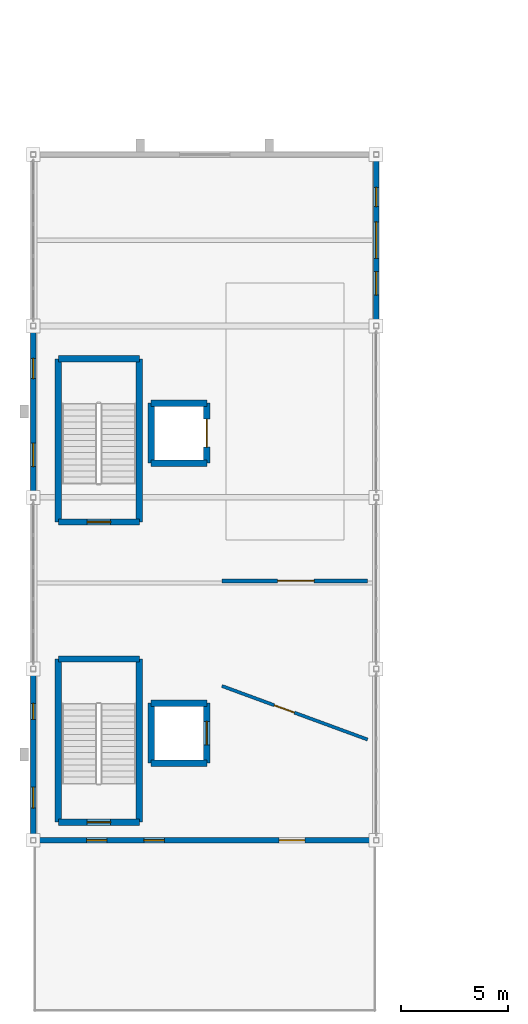
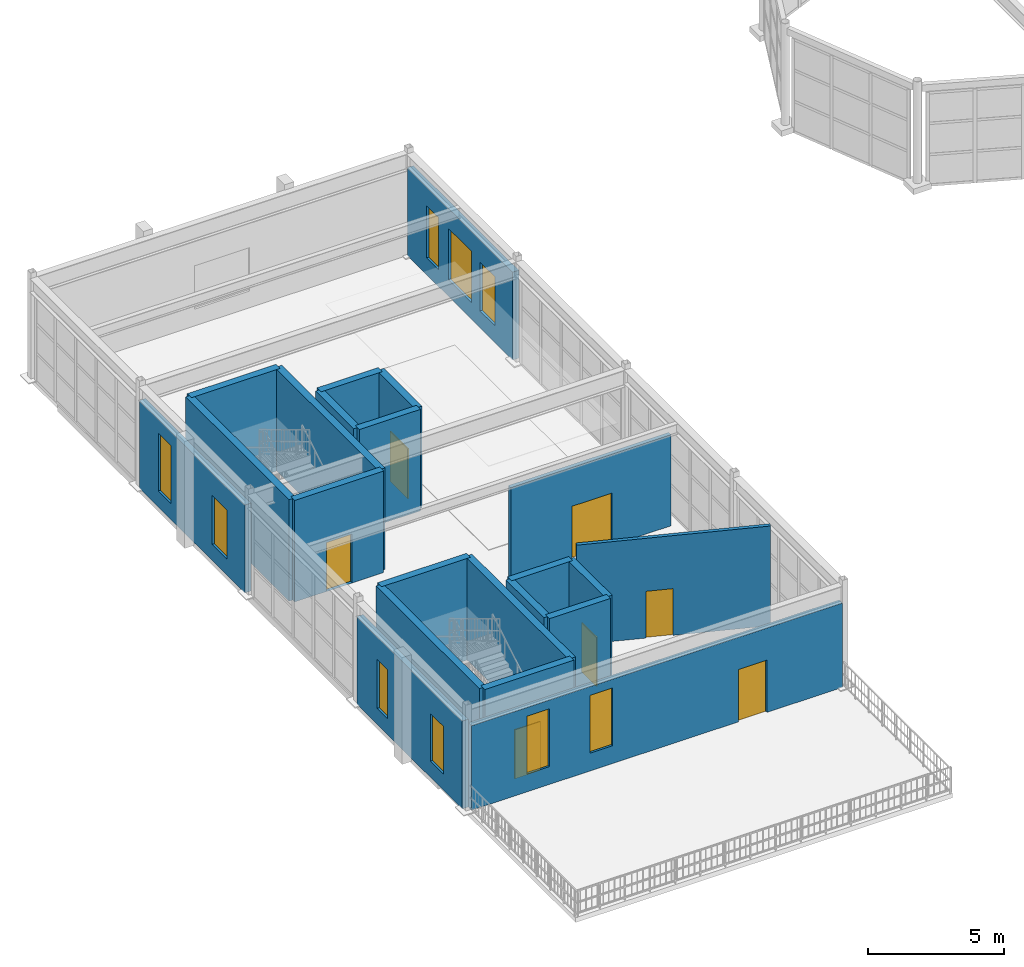
# One storey, part 49 of 61: 22 walls, 9 windows, 7 doors, 16 openings.
"""IFC4 building model written with IfcOpenShell, lengths in metres."""

from ifc_helpers import new_model, si_unit, direction, frame, frame_2d, origin, place, context, subcontext, project, spatial, rectangle, extrude, material, layer, layer_set, type_object, element, fill, save


model = new_model("IFC4")

# Units and contexts
model_context = context("Model", 3, precision=1e-05, world=origin(), true_north=direction((0.0, 1.0)))
body_context = subcontext(model_context, "Body", "Model", "MODEL_VIEW")
ifc_project = project(units=[si_unit("LENGTHUNIT", "METRE"), si_unit("AREAUNIT", "SQUARE_METRE"), si_unit("VOLUMEUNIT", "CUBIC_METRE"), si_unit("PLANEANGLEUNIT", "RADIAN"), si_unit("MASSUNIT", "GRAM", prefix="KILO")], contexts=[model_context])

# Site, building, storey
site_placement = place(None, origin())
site = spatial("IfcSite", under=ifc_project, at=site_placement, CompositionType="ELEMENT")
building_placement = place(site_placement, origin())
building = spatial("IfcBuilding", under=site, at=building_placement, Name="Serraluz Foothill Cableway Terminal", CompositionType="ELEMENT")
storey_placement = place(building_placement, frame((0.0, 0.0, 15.0)))
storey = spatial("IfcBuildingStorey", under=building, at=storey_placement, Name="L03", CompositionType="ELEMENT", Elevation=15.0)

# Wall, openings, door, windows
ifc_material_1 = material(Name="Andean basalt ashlar masonry (f'm 18 MPa)", Category="masonry")
ifc_layer_1 = layer(ifc_material_1, 0.239990234375, Name="Andean basalt ashlar masonry (f'm 18 MPa)", Category="masonry")
ifc_layer_set_1 = layer_set([ifc_layer_1], Name="Andean basalt ashlar masonry (f'm 18 MPa)")
wall_type_1 = type_object("IfcWallType", Name="TYP-WL-EXT-240", PredefinedType="STANDARD", material=ifc_layer_set_1)
wall_1_placement = place(storey_placement, frame((15.875, 32.0, 0.0), z_axis=(0.0, 0.0, 1.0), x_axis=(-1.0, 0.0, 0.0)))
wall_1 = element("IfcWall", 1, at=wall_1_placement, inside=storey, type_object=wall_type_1, Name="Exterior Masonry Wall EW-V5S-L03", PredefinedType="STANDARD", context=body_context, shape_type="SweptSolid", body=[
    extrude(rectangle(XDim=15.75, YDim=0.239990234375, at=frame_2d((7.875, 0.0))), origin(), (0.0, 0.0, 1.0), 3.7900390625),
])
opening_1_placement = place(wall_1_placement, frame((9.762451171875, 0.0, 0.800048828125)))
opening_1 = element("IfcOpeningElement", 2, at=opening_1_placement, cuts=wall_1, Name="Opening W-03", PredefinedType="OPENING", context=body_context, shape_type="SweptSolid", body=[
    extrude(rectangle(XDim=0.949951171875, YDim=2.60009765625, at=frame_2d((0.47509765625, 1.300048828125))), frame((0.0, 0.1298828125, 0.0), z_axis=(0.0, -1.0, 0.0), x_axis=(1.0, 0.0, 0.0)), (0.0, 0.0, 1.0), 0.260009765625),
])
opening_2_placement = place(wall_1_placement, frame((12.43994140625, 0.0, 0.800048828125)))
opening_2 = element("IfcOpeningElement", 3, at=opening_2_placement, cuts=wall_1, Name="Opening W-03", PredefinedType="OPENING", context=body_context, shape_type="SweptSolid", body=[
    extrude(rectangle(XDim=0.949951171875, YDim=2.60009765625, at=frame_2d((0.47509765625, 1.300048828125))), frame((0.0, 0.1298828125, 0.0), z_axis=(0.0, -1.0, 0.0), x_axis=(1.0, 0.0, 0.0)), (0.0, 0.0, 1.0), 0.260009765625),
])
opening_3_placement = place(wall_1_placement, frame((3.199951171875, 0.0, 0.0)))
opening_3 = element("IfcOpeningElement", 4, at=opening_3_placement, cuts=wall_1, Name="Opening DT-02", PredefinedType="OPENING", context=body_context, shape_type="SweptSolid", body=[
    extrude(rectangle(XDim=1.199951171875, YDim=2.35009765625, at=frame_2d((0.60009765625, 1.175048828125))), frame((0.0, 0.1298828125, 0.0), z_axis=(0.0, -1.0, 0.0), x_axis=(1.0, 0.0, 0.0)), (0.0, 0.0, 1.0), 0.260009765625),
])
ifc_material_2 = material(Name="Architectural bronze alloy C28000", Category="aluminium")
door_type_1 = type_object("IfcDoorType", Name="TYP-DR-TER-1200", OperationType="NOTDEFINED", PredefinedType="DOOR", material=ifc_material_2)
door_1_placement = place(opening_3_placement, origin())
door_1 = element("IfcDoor", 5, at=door_1_placement, inside=storey, type_object=door_type_1, Name="Engineering Terrace Access Door L03", OperationType="SINGLE_SWING_LEFT", OverallHeight=2.35009765625, OverallWidth=1.199951171875, PredefinedType="DOOR", context=body_context, shape_type="SweptSolid", body=[
    extrude(rectangle(XDim=1.199951171875, YDim=2.35009765625, at=frame_2d((0.60009765625, 1.175048828125))), frame((0.0, 0.02490234375, 0.0), z_axis=(0.0, -1.0, 0.0), x_axis=(1.0, 0.0, 0.0)), (0.0, 0.0, 1.0), 0.050048828125),
])
fill(opening_3, door_1)
ifc_material_3 = material(Name="Laminated low-E safety glass", Category="glass")
window_type_1 = type_object("IfcWindowType", Name="TYP-WN-095X260", PartitioningType="SINGLE_PANEL", PredefinedType="WINDOW", material=ifc_material_3)
window_1_placement = place(opening_1_placement, origin())
window_1 = element("IfcWindow", 6, at=window_1_placement, inside=storey, type_object=window_type_1, Name="Exterior Window EW-V5S-L03-WN1", OverallHeight=2.60009765625, OverallWidth=0.949951171875, PartitioningType="SINGLE_PANEL", PredefinedType="WINDOW", context=body_context, shape_type="SweptSolid", body=[
    extrude(rectangle(XDim=0.949951171875, YDim=2.60009765625, at=frame_2d((0.47509765625, 1.300048828125))), frame((0.0, 0.030029296875, 0.0), z_axis=(0.0, -1.0, 0.0), x_axis=(1.0, 0.0, 0.0)), (0.0, 0.0, 1.0), 0.06005859375),
])
fill(opening_1, window_1)
window_2_placement = place(opening_2_placement, origin())
window_2 = element("IfcWindow", 7, at=window_2_placement, inside=storey, type_object=window_type_1, Name="Exterior Window EW-V5S-L03-WN2", OverallHeight=2.60009765625, OverallWidth=0.949951171875, PartitioningType="SINGLE_PANEL", PredefinedType="WINDOW", context=body_context, shape_type="SweptSolid", body=[
    extrude(rectangle(XDim=0.949951171875, YDim=2.60009765625, at=frame_2d((0.47509765625, 1.300048828125))), frame((0.0, 0.030029296875, 0.0), z_axis=(0.0, -1.0, 0.0), x_axis=(1.0, 0.0, 0.0)), (0.0, 0.0, 1.0), 0.06005859375),
])
fill(opening_2, window_2)

# Wall, openings, windows
ifc_material_4 = material(Name="Fired clay masonry brick (f'm 12 MPa)", Category="masonry")
ifc_layer_2 = layer(ifc_material_4, 0.260009765625, Name="Fired clay masonry brick (f'm 12 MPa)", Category="masonry")
ifc_layer_set_2 = layer_set([ifc_layer_2], Name="Fired clay masonry brick (f'm 12 MPa)")
wall_type_2 = type_object("IfcWallType", Name="TYP-WL-EXT-260", PredefinedType="STANDARD", material=ifc_layer_set_2)
wall_2_placement = place(storey_placement, frame((0.0, 32.125, 0.0), z_axis=(0.0, 0.0, 1.0), x_axis=(0.0, 1.0, 0.0)))
wall_2 = element("IfcWall", 8, at=wall_2_placement, inside=storey, type_object=wall_type_2, Name="Exterior Masonry Wall EW-V5W-L03-32", PredefinedType="STANDARD", context=body_context, shape_type="SweptSolid", body=[
    extrude(rectangle(XDim=7.75, YDim=0.260009765625, at=frame_2d((3.875, 0.0))), origin(), (0.0, 0.0, 1.0), 3.944091796875),
])
opening_4_placement = place(wall_2_placement, frame((1.3701171875, 0.0, 0.719970703125)))
opening_4 = element("IfcOpeningElement", 9, at=opening_4_placement, cuts=wall_2, Name="Opening W-49", PredefinedType="OPENING", context=body_context, shape_type="SweptSolid", body=[
    extrude(rectangle(XDim=0.97998046875, YDim=2.14990234375, at=frame_2d((0.489990234375, 1.074951171875))), frame((0.0, 0.14013671875, 0.0), z_axis=(0.0, -1.0, 0.0), x_axis=(1.0, 0.0, 0.0)), (0.0, 0.0, 1.0), 0.280029296875),
])
opening_5_placement = place(wall_2_placement, frame((5.514892578125, 0.0, 0.719970703125)))
opening_5 = element("IfcOpeningElement", 10, at=opening_5_placement, cuts=wall_2, Name="Opening W-01", PredefinedType="OPENING", context=body_context, shape_type="SweptSolid", body=[
    extrude(rectangle(XDim=0.75, YDim=2.199951171875, at=frame_2d((0.375, 1.10009765625))), frame((0.0, 0.14013671875, 0.0), z_axis=(0.0, -1.0, 0.0), x_axis=(1.0, 0.0, 0.0)), (0.0, 0.0, 1.0), 0.280029296875),
])
window_type_2 = type_object("IfcWindowType", Name="TYP-WN-075X220", PartitioningType="SINGLE_PANEL", PredefinedType="WINDOW", material=ifc_material_3)
window_3_placement = place(opening_5_placement, origin())
window_3 = element("IfcWindow", 11, at=window_3_placement, inside=storey, type_object=window_type_2, Name="Exterior Window EW-V5W-L03-32-WN3", OverallHeight=2.199951171875, OverallWidth=0.75, PartitioningType="SINGLE_PANEL", PredefinedType="WINDOW", context=body_context, shape_type="SweptSolid", body=[
    extrude(rectangle(XDim=0.75, YDim=2.199951171875, at=frame_2d((0.375, 1.10009765625))), frame((0.0, 0.030029296875, 0.0), z_axis=(0.0, -1.0, 0.0), x_axis=(1.0, 0.0, 0.0)), (0.0, 0.0, 1.0), 0.06005859375),
])
fill(opening_5, window_3)
window_type_3 = type_object("IfcWindowType", Name="TYP-WN-098X215", PartitioningType="SINGLE_PANEL", PredefinedType="WINDOW", material=ifc_material_3)
window_4_placement = place(opening_4_placement, origin())
window_4 = element("IfcWindow", 12, at=window_4_placement, inside=storey, type_object=window_type_3, Name="Exterior Window EW-V5W-L03-32-WN1", OverallHeight=2.14990234375, OverallWidth=0.97998046875, PartitioningType="SINGLE_PANEL", PredefinedType="WINDOW", context=body_context, shape_type="SweptSolid", body=[
    extrude(rectangle(XDim=0.97998046875, YDim=2.14990234375, at=frame_2d((0.489990234375, 1.074951171875))), frame((0.0, 0.030029296875, 0.0), z_axis=(0.0, -1.0, 0.0), x_axis=(1.0, 0.0, 0.0)), (0.0, 0.0, 1.0), 0.06005859375),
])
fill(opening_4, window_4)

wall_3_placement = place(storey_placement, frame((0.0, 48.125, 0.0), z_axis=(0.0, 0.0, 1.0), x_axis=(0.0, 1.0, 0.0)))
wall_3 = element("IfcWall", 13, at=wall_3_placement, inside=storey, type_object=wall_type_2, Name="Exterior Masonry Wall EW-V5W-L03-48", PredefinedType="STANDARD", context=body_context, shape_type="SweptSolid", body=[
    extrude(rectangle(XDim=7.75, YDim=0.260009765625, at=frame_2d((3.875, 0.0))), origin(), (0.0, 0.0, 1.0), 3.944091796875),
])
opening_6_placement = place(wall_3_placement, frame((1.31005859375, 0.0, 0.719970703125)))
opening_6 = element("IfcOpeningElement", 14, at=opening_6_placement, cuts=wall_3, Name="Opening W-04", PredefinedType="OPENING", context=body_context, shape_type="SweptSolid", body=[
    extrude(rectangle(XDim=1.10009765625, YDim=2.199951171875, at=frame_2d((0.550048828125, 1.10009765625))), frame((0.0, 0.14013671875, 0.0), z_axis=(0.0, -1.0, 0.0), x_axis=(1.0, 0.0, 0.0)), (0.0, 0.0, 1.0), 0.280029296875),
])
opening_7_placement = place(wall_3_placement, frame((5.4150390625, 0.0, 0.719970703125)))
opening_7 = element("IfcOpeningElement", 15, at=opening_7_placement, cuts=wall_3, Name="Opening W-03", PredefinedType="OPENING", context=body_context, shape_type="SweptSolid", body=[
    extrude(rectangle(XDim=0.949951171875, YDim=2.60009765625, at=frame_2d((0.47509765625, 1.300048828125))), frame((0.0, 0.14013671875, 0.0), z_axis=(0.0, -1.0, 0.0), x_axis=(1.0, 0.0, 0.0)), (0.0, 0.0, 1.0), 0.280029296875),
])
window_5_placement = place(opening_7_placement, origin())
window_5 = element("IfcWindow", 16, at=window_5_placement, inside=storey, type_object=window_type_1, Name="Exterior Window EW-V5W-L03-48-WN3", OverallHeight=2.60009765625, OverallWidth=0.949951171875, PartitioningType="SINGLE_PANEL", PredefinedType="WINDOW", context=body_context, shape_type="SweptSolid", body=[
    extrude(rectangle(XDim=0.949951171875, YDim=2.60009765625, at=frame_2d((0.47509765625, 1.300048828125))), frame((0.0, 0.030029296875, 0.0), z_axis=(0.0, -1.0, 0.0), x_axis=(1.0, 0.0, 0.0)), (0.0, 0.0, 1.0), 0.06005859375),
])
fill(opening_7, window_5)
window_type_4 = type_object("IfcWindowType", Name="TYP-WN-110X220", PartitioningType="SINGLE_PANEL", PredefinedType="WINDOW", material=ifc_material_3)
window_6_placement = place(opening_6_placement, origin())
window_6 = element("IfcWindow", 17, at=window_6_placement, inside=storey, type_object=window_type_4, Name="Exterior Window EW-V5W-L03-48-WN1", OverallHeight=2.199951171875, OverallWidth=1.10009765625, PartitioningType="SINGLE_PANEL", PredefinedType="WINDOW", context=body_context, shape_type="SweptSolid", body=[
    extrude(rectangle(XDim=1.10009765625, YDim=2.199951171875, at=frame_2d((0.550048828125, 1.10009765625))), frame((0.0, 0.030029296875, 0.0), z_axis=(0.0, -1.0, 0.0), x_axis=(1.0, 0.0, 0.0)), (0.0, 0.0, 1.0), 0.06005859375),
])
fill(opening_6, window_6)

wall_4_placement = place(storey_placement, frame((16.0, 63.875, 0.0), z_axis=(0.0, 0.0, 1.0), x_axis=(0.0, -1.0, 0.0)))
wall_4 = element("IfcWall", 18, at=wall_4_placement, inside=storey, type_object=wall_type_2, Name="Exterior Masonry Wall EW-V5E-L03-56", PredefinedType="STANDARD", context=body_context, shape_type="SweptSolid", body=[
    extrude(rectangle(XDim=7.75, YDim=0.260009765625, at=frame_2d((3.875, 0.0))), origin(), (0.0, 0.0, 1.0), 3.948974609375),
])
opening_8_placement = place(wall_4_placement, frame((1.409912109375, 0.0, 0.75)))
opening_8 = element("IfcOpeningElement", 19, at=opening_8_placement, cuts=wall_4, Name="Opening W-37", PredefinedType="OPENING", context=body_context, shape_type="SweptSolid", body=[
    extrude(rectangle(XDim=0.89990234375, YDim=2.35009765625, at=frame_2d((0.449951171875, 1.175048828125))), frame((0.0, 0.14013671875, 0.0), z_axis=(0.0, -1.0, 0.0), x_axis=(1.0, 0.0, 0.0)), (0.0, 0.0, 1.0), 0.280029296875),
])
opening_9_placement = place(wall_4_placement, frame((3.0224609375, 0.0, 0.75)))
opening_9 = element("IfcOpeningElement", 20, at=opening_9_placement, cuts=wall_4, Name="Opening W-45", PredefinedType="OPENING", context=body_context, shape_type="SweptSolid", body=[
    extrude(rectangle(XDim=1.705078125, YDim=2.300048828125, at=frame_2d((0.8525390625, 1.14990234375))), frame((0.0, 0.14013671875, 0.0), z_axis=(0.0, -1.0, 0.0), x_axis=(1.0, 0.0, 0.0)), (0.0, 0.0, 1.0), 0.280029296875),
])
opening_10_placement = place(wall_4_placement, frame((5.340087890625, 0.0, 0.75)))
opening_10 = element("IfcOpeningElement", 21, at=opening_10_placement, cuts=wall_4, Name="Opening W-04", PredefinedType="OPENING", context=body_context, shape_type="SweptSolid", body=[
    extrude(rectangle(XDim=1.10009765625, YDim=2.199951171875, at=frame_2d((0.550048828125, 1.10009765625))), frame((0.0, 0.14013671875, 0.0), z_axis=(0.0, -1.0, 0.0), x_axis=(1.0, 0.0, 0.0)), (0.0, 0.0, 1.0), 0.280029296875),
])
window_type_5 = type_object("IfcWindowType", Name="TYP-WN-090X235", PartitioningType="SINGLE_PANEL", PredefinedType="WINDOW", material=ifc_material_3)
window_7_placement = place(opening_8_placement, origin())
window_7 = element("IfcWindow", 22, at=window_7_placement, inside=storey, type_object=window_type_5, Name="Exterior Window EW-V5E-L03-56-WN1", OverallHeight=2.35009765625, OverallWidth=0.89990234375, PartitioningType="SINGLE_PANEL", PredefinedType="WINDOW", context=body_context, shape_type="SweptSolid", body=[
    extrude(rectangle(XDim=0.89990234375, YDim=2.35009765625, at=frame_2d((0.449951171875, 1.175048828125))), frame((0.0, 0.030029296875, 0.0), z_axis=(0.0, -1.0, 0.0), x_axis=(1.0, 0.0, 0.0)), (0.0, 0.0, 1.0), 0.06005859375),
])
fill(opening_8, window_7)
window_8_placement = place(opening_10_placement, origin())
window_8 = element("IfcWindow", 23, at=window_8_placement, inside=storey, type_object=window_type_4, Name="Exterior Window EW-V5E-L03-56-WN3", OverallHeight=2.199951171875, OverallWidth=1.10009765625, PartitioningType="SINGLE_PANEL", PredefinedType="WINDOW", context=body_context, shape_type="SweptSolid", body=[
    extrude(rectangle(XDim=1.10009765625, YDim=2.199951171875, at=frame_2d((0.550048828125, 1.10009765625))), frame((0.0, 0.030029296875, 0.0), z_axis=(0.0, -1.0, 0.0), x_axis=(1.0, 0.0, 0.0)), (0.0, 0.0, 1.0), 0.06005859375),
])
fill(opening_10, window_8)
window_type_6 = type_object("IfcWindowType", Name="TYP-WN-205X230", PartitioningType="TRIPLE_PANEL_VERTICAL", PredefinedType="WINDOW", material=ifc_material_3)
window_9_placement = place(opening_9_placement, origin())
window_9 = element("IfcWindow", 24, at=window_9_placement, inside=storey, type_object=window_type_6, Name="Exterior Window EW-V5E-L03-56-WN2", OverallHeight=2.300048828125, OverallWidth=1.705078125, PartitioningType="SINGLE_PANEL", PredefinedType="WINDOW", context=body_context, shape_type="SweptSolid", body=[
    extrude(rectangle(XDim=1.705078125, YDim=2.300048828125, at=frame_2d((0.8525390625, 1.14990234375))), frame((0.0, 0.030029296875, 0.0), z_axis=(0.0, -1.0, 0.0), x_axis=(1.0, 0.0, 0.0)), (0.0, 0.0, 1.0), 0.06005859375),
])
fill(opening_9, window_9)

# Wall, opening, door
ifc_material_5 = material(Name="Lightweight gypsum and steel stud partition", Category="steel")
ifc_layer_3 = layer(ifc_material_5, 0.14990234375, Name="Lightweight gypsum and steel stud partition", Category="steel")
ifc_layer_set_3 = layer_set([ifc_layer_3], Name="Lightweight gypsum and steel stud partition")
wall_type_3 = type_object("IfcWallType", Name="TYP-WL-PRT-150", PredefinedType="PARTITIONING", material=ifc_layer_set_3)
wall_5_placement = place(storey_placement, frame((8.800048828125, 39.199951171875, 0.0), z_axis=(0.0, 0.0, 1.0), x_axis=(0.93857935587, -0.345063461893, 0.0)))
wall_5 = element("IfcWall", 25, at=wall_5_placement, inside=storey, type_object=wall_type_3, Name="Interior Partition PT-L03-06", PredefinedType="PARTITIONING", context=body_context, shape_type="SweptSolid", body=[
    extrude(rectangle(XDim=7.2451171875, YDim=0.14990234375, at=frame_2d((3.62255859375, 0.0))), origin(), (0.0, 0.0, 1.0), 4.47998046875),
])
opening_11_placement = place(wall_5_placement, frame((2.60009765625, 0.0, 0.0)))
opening_11 = element("IfcOpeningElement", 26, at=opening_11_placement, cuts=wall_5, Name="Opening DI-04", PredefinedType="OPENING", context=body_context, shape_type="SweptSolid", body=[
    extrude(rectangle(XDim=1.0, YDim=2.10009765625, at=frame_2d((0.5, 1.050048828125))), frame((0.0, 0.0849609375, 0.0), z_axis=(0.0, -1.0, 0.0), x_axis=(1.0, 0.0, 0.0)), (0.0, 0.0, 1.0), 0.169921875),
])
ifc_material_6 = material(Name="Kiln-dried Andean oak hardwood", Category="wood")
door_type_2 = type_object("IfcDoorType", Name="TYP-DR-ACC-1000", OperationType="NOTDEFINED", PredefinedType="DOOR", material=ifc_material_6)
door_2_placement = place(opening_11_placement, origin())
door_2 = element("IfcDoor", 27, at=door_2_placement, inside=storey, type_object=door_type_2, Name="Interior Door PT-L03-06-DR1", OperationType="SINGLE_SWING_RIGHT", OverallHeight=2.10009765625, OverallWidth=1.0, PredefinedType="DOOR", context=body_context, shape_type="SweptSolid", body=[
    extrude(rectangle(XDim=1.0, YDim=2.10009765625, at=frame_2d((0.5, 1.050048828125))), frame((0.0, 0.02490234375, 0.0), z_axis=(0.0, -1.0, 0.0), x_axis=(1.0, 0.0, 0.0)), (0.0, 0.0, 1.0), 0.050048828125),
])
fill(opening_11, door_2)

ifc_layer_4 = layer(ifc_material_4, 0.179931640625, Name="Fired clay masonry brick (f'm 12 MPa)", Category="masonry")
ifc_layer_set_4 = layer_set([ifc_layer_4], Name="Fired clay masonry brick (f'm 12 MPa)")
wall_type_4 = type_object("IfcWallType", Name="TYP-WL-PRT-180", PredefinedType="PARTITIONING", material=ifc_layer_set_4)
wall_6_placement = place(storey_placement, frame((8.800048828125, 44.10009765625, 0.0), z_axis=(0.0, 0.0, 1.0), x_axis=(1.0, 0.0, 0.0)))
wall_6 = element("IfcWall", 28, at=wall_6_placement, inside=storey, type_object=wall_type_4, Name="Interior Partition PT-L03-05", PredefinedType="PARTITIONING", context=body_context, shape_type="SweptSolid", body=[
    extrude(rectangle(XDim=6.800048828125, YDim=0.179931640625, at=frame_2d((3.39990234375, 0.0))), origin(), (0.0, 0.0, 1.0), 4.0849609375),
])
opening_12_placement = place(wall_6_placement, frame((2.60009765625, 0.0, 0.0)))
opening_12 = element("IfcOpeningElement", 29, at=opening_12_placement, cuts=wall_6, Name="Opening DI-10", PredefinedType="OPENING", context=body_context, shape_type="SweptSolid", body=[
    extrude(rectangle(XDim=1.699951171875, YDim=2.35009765625, at=frame_2d((0.85009765625, 1.175048828125))), frame((0.0, 0.10009765625, 0.0), z_axis=(0.0, -1.0, 0.0), x_axis=(1.0, 0.0, 0.0)), (0.0, 0.0, 1.0), 0.199951171875),
])
door_type_3 = type_object("IfcDoorType", Name="TYP-DR-DBL-1700", OperationType="DOUBLE_DOOR_SINGLE_SWING", PredefinedType="DOOR", material=ifc_material_2)
door_3_placement = place(opening_12_placement, origin())
door_3 = element("IfcDoor", 30, at=door_3_placement, inside=storey, type_object=door_type_3, Name="Interior Door PT-L03-05-DR1", OperationType="DOUBLE_DOOR_SINGLE_SWING", OverallHeight=2.35009765625, OverallWidth=1.699951171875, PredefinedType="DOOR", context=body_context, shape_type="SweptSolid", body=[
    extrude(rectangle(XDim=1.699951171875, YDim=2.35009765625, at=frame_2d((0.85009765625, 1.175048828125))), frame((0.0, 0.02490234375, 0.0), z_axis=(0.0, -1.0, 0.0), x_axis=(1.0, 0.0, 0.0)), (0.0, 0.0, 1.0), 0.050048828125),
])
fill(opening_12, door_3)

ifc_material_7 = material(Name="Concrete C35/45 (f'c 35 MPa)", Category="concrete")
ifc_layer_5 = layer(ifc_material_7, 0.300048828125, Name="Concrete C35/45 (f'c 35 MPa)", Category="concrete")
ifc_layer_set_5 = layer_set([ifc_layer_5], Name="Concrete C35/45 (f'c 35 MPa)")
wall_type_5 = type_object("IfcWallType", Name="TYP-WL-SHR-350", PredefinedType="SHEAR", material=ifc_layer_set_5)
wall_7_placement = place(storey_placement, frame((4.949951171875, 46.85009765625, 0.0), z_axis=(0.0, 0.0, 1.0), x_axis=(-1.0, 0.0, 0.0)))
wall_7 = element("IfcWall", 31, at=wall_7_placement, inside=storey, type_object=wall_type_5, Name="Stair Core Shear Wall CW-ST-01-L03-S", PredefinedType="SHEAR", context=body_context, shape_type="SweptSolid", body=[
    extrude(rectangle(XDim=3.780029296875, YDim=0.300048828125, at=frame_2d((1.89013671875, 0.0))), origin(), (0.0, 0.0, 1.0), 4.56005859375),
])
opening_13_placement = place(wall_7_placement, frame((1.340087890625, 0.0, 0.0)))
opening_13 = element("IfcOpeningElement", 32, at=opening_13_placement, cuts=wall_7, Name="Opening DF-07", PredefinedType="OPENING", context=body_context, shape_type="SweptSolid", body=[
    extrude(rectangle(XDim=1.10009765625, YDim=2.199951171875, at=frame_2d((0.550048828125, 1.10009765625))), frame((0.0, 0.16015625, 0.0), z_axis=(0.0, -1.0, 0.0), x_axis=(1.0, 0.0, 0.0)), (0.0, 0.0, 1.0), 0.320068359375),
])
ifc_material_8 = material(Name="Galvanized hollow-metal steel sheet", Category="steel")
door_type_4 = type_object("IfcDoorType", Name="TYP-DR-FD60-1100", OperationType="NOTDEFINED", PredefinedType="DOOR", material=ifc_material_8)
door_4_placement = place(opening_13_placement, origin())
door_4 = element("IfcDoor", 33, at=door_4_placement, inside=storey, type_object=door_type_4, Name="Exit Stair Fire Door ST-01 L03", OperationType="SINGLE_SWING_LEFT", OverallHeight=2.199951171875, OverallWidth=1.10009765625, PredefinedType="DOOR", context=body_context, shape_type="SweptSolid", body=[
    extrude(rectangle(XDim=1.10009765625, YDim=2.199951171875, at=frame_2d((0.550048828125, 1.10009765625))), frame((0.0, 0.02490234375, 0.0), z_axis=(0.0, -1.0, 0.0), x_axis=(1.0, 0.0, 0.0)), (0.0, 0.0, 1.0), 0.050048828125),
])
fill(opening_13, door_4)

# Walls
wall_8_placement = place(storey_placement, frame((1.169921875, 46.85009765625, 0.0), z_axis=(0.0, 0.0, 1.0), x_axis=(0.0, 1.0, 0.0)))
element("IfcWall", 34, at=wall_8_placement, inside=storey, type_object=wall_type_5, Name="Stair Core Shear Wall CW-ST-01-L03-W", PredefinedType="SHEAR", context=body_context, shape_type="SweptSolid", body=[
    extrude(rectangle(XDim=7.60986328125, YDim=0.300048828125, at=frame_2d((3.804931640625, 0.0))), origin(), (0.0, 0.0, 1.0), 4.56005859375),
])
wall_9_placement = place(storey_placement, frame((1.169921875, 54.4599609375, 0.0), z_axis=(0.0, 0.0, 1.0), x_axis=(1.0, 0.0, 0.0)))
element("IfcWall", 35, at=wall_9_placement, inside=storey, type_object=wall_type_5, Name="Stair Core Shear Wall CW-ST-01-L03-N", PredefinedType="SHEAR", context=body_context, shape_type="SweptSolid", body=[
    extrude(rectangle(XDim=3.780029296875, YDim=0.300048828125, at=frame_2d((1.89013671875, 0.0))), origin(), (0.0, 0.0, 1.0), 4.56005859375),
])
wall_10_placement = place(storey_placement, frame((4.949951171875, 54.4599609375, 0.0), z_axis=(0.0, 0.0, 1.0), x_axis=(0.0, -1.0, 0.0)))
element("IfcWall", 36, at=wall_10_placement, inside=storey, type_object=wall_type_5, Name="Stair Core Shear Wall CW-ST-01-L03-E", PredefinedType="SHEAR", context=body_context, shape_type="SweptSolid", body=[
    extrude(rectangle(XDim=7.60986328125, YDim=0.300048828125, at=frame_2d((3.804931640625, 0.0))), origin(), (0.0, 0.0, 1.0), 4.56005859375),
])

# Wall, opening, door
wall_11_placement = place(storey_placement, frame((4.949951171875, 32.85009765625, 0.0), z_axis=(0.0, 0.0, 1.0), x_axis=(-1.0, 0.0, 0.0)))
wall_11 = element("IfcWall", 37, at=wall_11_placement, inside=storey, type_object=wall_type_5, Name="Stair Core Shear Wall CW-ST-02-L03-S", PredefinedType="SHEAR", context=body_context, shape_type="SweptSolid", body=[
    extrude(rectangle(XDim=3.780029296875, YDim=0.300048828125, at=frame_2d((1.89013671875, 0.0))), origin(), (0.0, 0.0, 1.0), 4.56005859375),
])
opening_14_placement = place(wall_11_placement, frame((1.340087890625, 0.0, 0.0)))
opening_14 = element("IfcOpeningElement", 38, at=opening_14_placement, cuts=wall_11, Name="Opening DF-07", PredefinedType="OPENING", context=body_context, shape_type="SweptSolid", body=[
    extrude(rectangle(XDim=1.10009765625, YDim=2.199951171875, at=frame_2d((0.550048828125, 1.10009765625))), frame((0.0, 0.16015625, 0.0), z_axis=(0.0, -1.0, 0.0), x_axis=(1.0, 0.0, 0.0)), (0.0, 0.0, 1.0), 0.320068359375),
])
door_5_placement = place(opening_14_placement, origin())
door_5 = element("IfcDoor", 39, at=door_5_placement, inside=storey, type_object=door_type_4, Name="Exit Stair Fire Door ST-02 L03", OperationType="SINGLE_SWING_RIGHT", OverallHeight=2.199951171875, OverallWidth=1.10009765625, PredefinedType="DOOR", context=body_context, shape_type="SweptSolid", body=[
    extrude(rectangle(XDim=1.10009765625, YDim=2.199951171875, at=frame_2d((0.550048828125, 1.10009765625))), frame((0.0, 0.02490234375, 0.0), z_axis=(0.0, -1.0, 0.0), x_axis=(1.0, 0.0, 0.0)), (0.0, 0.0, 1.0), 0.050048828125),
])
fill(opening_14, door_5)

# Walls
wall_12_placement = place(storey_placement, frame((1.169921875, 32.85009765625, 0.0), z_axis=(0.0, 0.0, 1.0), x_axis=(0.0, 1.0, 0.0)))
element("IfcWall", 40, at=wall_12_placement, inside=storey, type_object=wall_type_5, Name="Stair Core Shear Wall CW-ST-02-L03-W", PredefinedType="SHEAR", context=body_context, shape_type="SweptSolid", body=[
    extrude(rectangle(XDim=7.60986328125, YDim=0.300048828125, at=frame_2d((3.804931640625, 0.0))), origin(), (0.0, 0.0, 1.0), 4.56005859375),
])
wall_13_placement = place(storey_placement, frame((1.169921875, 40.4599609375, 0.0), z_axis=(0.0, 0.0, 1.0), x_axis=(1.0, 0.0, 0.0)))
element("IfcWall", 41, at=wall_13_placement, inside=storey, type_object=wall_type_5, Name="Stair Core Shear Wall CW-ST-02-L03-N", PredefinedType="SHEAR", context=body_context, shape_type="SweptSolid", body=[
    extrude(rectangle(XDim=3.780029296875, YDim=0.300048828125, at=frame_2d((1.89013671875, 0.0))), origin(), (0.0, 0.0, 1.0), 4.56005859375),
])
wall_14_placement = place(storey_placement, frame((4.949951171875, 40.4599609375, 0.0), z_axis=(0.0, 0.0, 1.0), x_axis=(0.0, -1.0, 0.0)))
element("IfcWall", 42, at=wall_14_placement, inside=storey, type_object=wall_type_5, Name="Stair Core Shear Wall CW-ST-02-L03-E", PredefinedType="SHEAR", context=body_context, shape_type="SweptSolid", body=[
    extrude(rectangle(XDim=7.60986328125, YDim=0.300048828125, at=frame_2d((3.804931640625, 0.0))), origin(), (0.0, 0.0, 1.0), 4.56005859375),
])
wall_15_placement = place(storey_placement, frame((8.10009765625, 49.60009765625, 0.0), z_axis=(0.0, 0.0, 1.0), x_axis=(-1.0, 0.0, 0.0)))
element("IfcWall", 43, at=wall_15_placement, inside=storey, type_object=wall_type_5, Name="Lift Shaft Shear Wall LW-LF-01-L03-S", PredefinedType="SHEAR", context=body_context, shape_type="SweptSolid", body=[
    extrude(rectangle(XDim=2.60009765625, YDim=0.300048828125, at=frame_2d((1.300048828125, 0.0))), origin(), (0.0, 0.0, 1.0), 4.56005859375),
])
wall_16_placement = place(storey_placement, frame((5.5, 49.60009765625, 0.0), z_axis=(0.0, 0.0, 1.0), x_axis=(0.0, 1.0, 0.0)))
element("IfcWall", 44, at=wall_16_placement, inside=storey, type_object=wall_type_5, Name="Lift Shaft Shear Wall LW-LF-01-L03-W", PredefinedType="SHEAR", context=body_context, shape_type="SweptSolid", body=[
    extrude(rectangle(XDim=2.7998046875, YDim=0.300048828125, at=frame_2d((1.39990234375, 0.0))), origin(), (0.0, 0.0, 1.0), 4.56005859375),
])
wall_17_placement = place(storey_placement, frame((5.5, 52.39990234375, 0.0), z_axis=(0.0, 0.0, 1.0), x_axis=(1.0, 0.0, 0.0)))
element("IfcWall", 45, at=wall_17_placement, inside=storey, type_object=wall_type_5, Name="Lift Shaft Shear Wall LW-LF-01-L03-N", PredefinedType="SHEAR", context=body_context, shape_type="SweptSolid", body=[
    extrude(rectangle(XDim=2.60009765625, YDim=0.300048828125, at=frame_2d((1.300048828125, 0.0))), origin(), (0.0, 0.0, 1.0), 4.56005859375),
])

# Wall, opening, door
wall_18_placement = place(storey_placement, frame((8.10009765625, 52.39990234375, 0.0), z_axis=(0.0, 0.0, 1.0), x_axis=(0.0, -1.0, 0.0)))
wall_18 = element("IfcWall", 46, at=wall_18_placement, inside=storey, type_object=wall_type_5, Name="Lift Shaft Shear Wall LW-LF-01-L03-E", PredefinedType="SHEAR", context=body_context, shape_type="SweptSolid", body=[
    extrude(rectangle(XDim=2.7998046875, YDim=0.300048828125, at=frame_2d((1.39990234375, 0.0))), origin(), (0.0, 0.0, 1.0), 4.56005859375),
])
opening_15_placement = place(wall_18_placement, frame((0.75, 0.0, 0.0)))
opening_15 = element("IfcOpeningElement", 47, at=opening_15_placement, cuts=wall_18, Name="Opening LD-02", PredefinedType="OPENING", context=body_context, shape_type="SweptSolid", body=[
    extrude(rectangle(XDim=1.300048828125, YDim=2.25, at=frame_2d((0.64990234375, 1.125))), frame((0.0, 0.16015625, 0.0), z_axis=(0.0, -1.0, 0.0), x_axis=(1.0, 0.0, 0.0)), (0.0, 0.0, 1.0), 0.320068359375),
])
door_type_5 = type_object("IfcDoorType", Name="TYP-DR-LD-1300", OperationType="DOUBLE_DOOR_SLIDING", PredefinedType="DOOR", material=ifc_material_8)
door_6_placement = place(opening_15_placement, origin())
door_6 = element("IfcDoor", 48, at=door_6_placement, inside=storey, type_object=door_type_5, Name="Lift Sliding Landing Door LF-01 L03", OperationType="DOUBLE_DOOR_SLIDING", OverallHeight=2.25, OverallWidth=1.300048828125, PredefinedType="DOOR", context=body_context, shape_type="SweptSolid", body=[
    extrude(rectangle(XDim=1.300048828125, YDim=2.25, at=frame_2d((0.64990234375, 1.125))), frame((0.0, 0.02490234375, 0.0), z_axis=(0.0, -1.0, 0.0), x_axis=(1.0, 0.0, 0.0)), (0.0, 0.0, 1.0), 0.050048828125),
])
fill(opening_15, door_6)

# Walls
wall_19_placement = place(storey_placement, frame((8.10009765625, 35.60009765625, 0.0), z_axis=(0.0, 0.0, 1.0), x_axis=(-1.0, 0.0, 0.0)))
element("IfcWall", 49, at=wall_19_placement, inside=storey, type_object=wall_type_5, Name="Lift Shaft Shear Wall LW-LF-02-L03-S", PredefinedType="SHEAR", context=body_context, shape_type="SweptSolid", body=[
    extrude(rectangle(XDim=2.60009765625, YDim=0.300048828125, at=frame_2d((1.300048828125, 0.0))), origin(), (0.0, 0.0, 1.0), 4.56005859375),
])
wall_20_placement = place(storey_placement, frame((5.5, 35.60009765625, 0.0), z_axis=(0.0, 0.0, 1.0), x_axis=(0.0, 1.0, 0.0)))
element("IfcWall", 50, at=wall_20_placement, inside=storey, type_object=wall_type_5, Name="Lift Shaft Shear Wall LW-LF-02-L03-W", PredefinedType="SHEAR", context=body_context, shape_type="SweptSolid", body=[
    extrude(rectangle(XDim=2.7998046875, YDim=0.300048828125, at=frame_2d((1.39990234375, 0.0))), origin(), (0.0, 0.0, 1.0), 4.56005859375),
])
wall_21_placement = place(storey_placement, frame((5.5, 38.39990234375, 0.0), z_axis=(0.0, 0.0, 1.0), x_axis=(1.0, 0.0, 0.0)))
element("IfcWall", 51, at=wall_21_placement, inside=storey, type_object=wall_type_5, Name="Lift Shaft Shear Wall LW-LF-02-L03-N", PredefinedType="SHEAR", context=body_context, shape_type="SweptSolid", body=[
    extrude(rectangle(XDim=2.60009765625, YDim=0.300048828125, at=frame_2d((1.300048828125, 0.0))), origin(), (0.0, 0.0, 1.0), 4.56005859375),
])

# Wall, opening, door
wall_22_placement = place(storey_placement, frame((8.10009765625, 38.39990234375, 0.0), z_axis=(0.0, 0.0, 1.0), x_axis=(0.0, -1.0, 0.0)))
wall_22 = element("IfcWall", 52, at=wall_22_placement, inside=storey, type_object=wall_type_5, Name="Lift Shaft Shear Wall LW-LF-02-L03-E", PredefinedType="SHEAR", context=body_context, shape_type="SweptSolid", body=[
    extrude(rectangle(XDim=2.7998046875, YDim=0.300048828125, at=frame_2d((1.39990234375, 0.0))), origin(), (0.0, 0.0, 1.0), 4.56005859375),
])
opening_16_placement = place(wall_22_placement, frame((0.85009765625, 0.0, 0.0)))
opening_16 = element("IfcOpeningElement", 53, at=opening_16_placement, cuts=wall_22, Name="Opening LD-01", PredefinedType="OPENING", context=body_context, shape_type="SweptSolid", body=[
    extrude(rectangle(XDim=1.10009765625, YDim=2.199951171875, at=frame_2d((0.550048828125, 1.10009765625))), frame((0.0, 0.16015625, 0.0), z_axis=(0.0, -1.0, 0.0), x_axis=(1.0, 0.0, 0.0)), (0.0, 0.0, 1.0), 0.320068359375),
])
door_type_6 = type_object("IfcDoorType", Name="TYP-DR-LD-1100", OperationType="DOUBLE_DOOR_SLIDING", PredefinedType="DOOR", material=ifc_material_8)
door_7_placement = place(opening_16_placement, origin())
door_7 = element("IfcDoor", 54, at=door_7_placement, inside=storey, type_object=door_type_6, Name="Lift Sliding Landing Door LF-02 L03", OperationType="DOUBLE_DOOR_SLIDING", OverallHeight=2.199951171875, OverallWidth=1.10009765625, PredefinedType="DOOR", context=body_context, shape_type="SweptSolid", body=[
    extrude(rectangle(XDim=1.10009765625, YDim=2.199951171875, at=frame_2d((0.550048828125, 1.10009765625))), frame((0.0, 0.02490234375, 0.0), z_axis=(0.0, -1.0, 0.0), x_axis=(1.0, 0.0, 0.0)), (0.0, 0.0, 1.0), 0.050048828125),
])
fill(opening_16, door_7)

save(model, "model.ifc")
